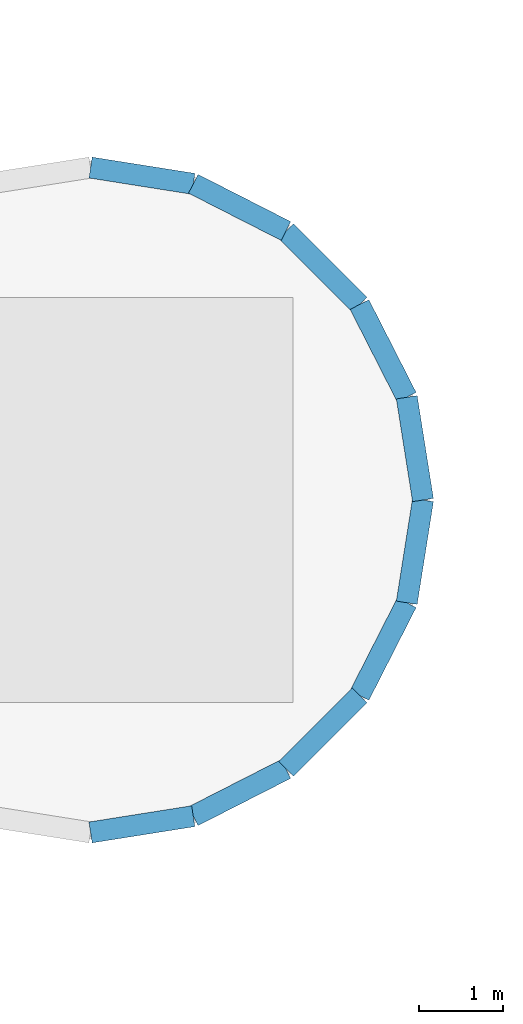
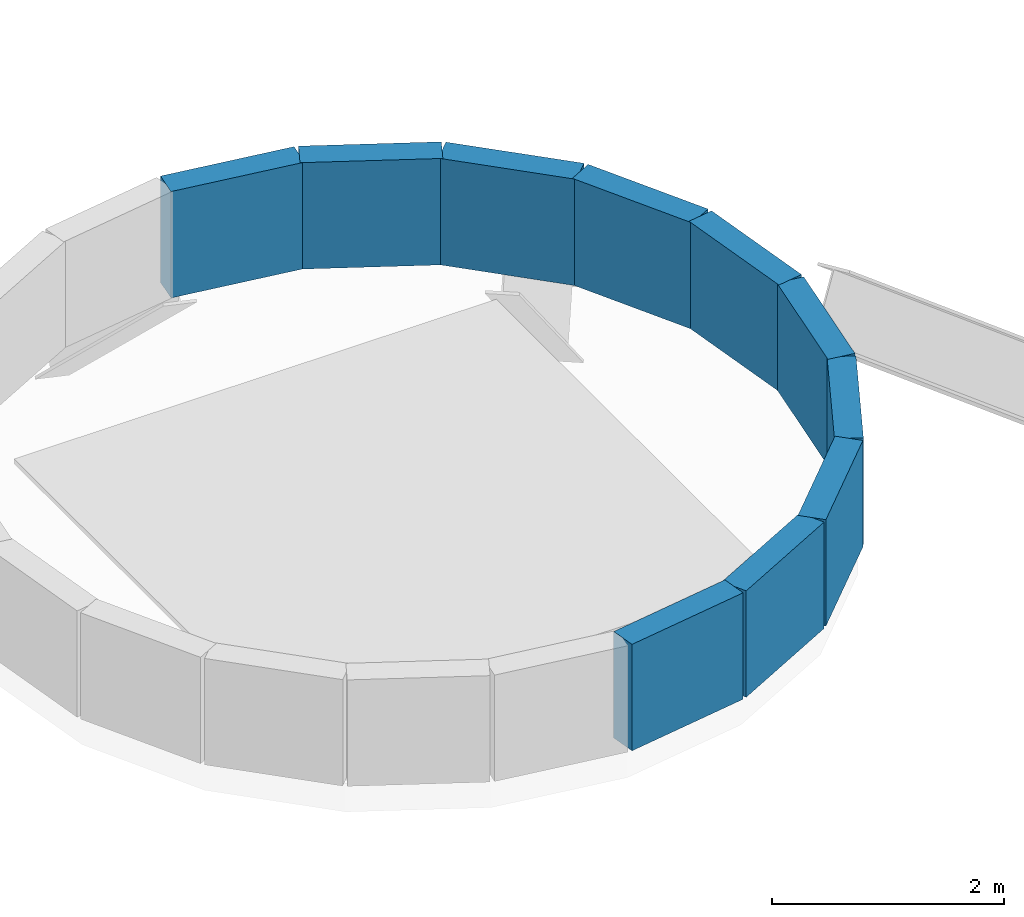
# One storey, part 19 of 34: 10 walls.
"""IFC4 building model written with IfcOpenShell, lengths in metres."""

from ifc_helpers import new_model, si_unit, direction, frame, frame_2d, origin, place, context, subcontext, project, spatial, rectangle, extrude, material, layer, layer_set, type_object, element, save


model = new_model("IFC4")

# Units and contexts
model_context = context("Model", 3, precision=1e-05, world=origin(), true_north=direction((0.0, 1.0)))
body_context = subcontext(model_context, "Body", "Model", "MODEL_VIEW")
ifc_project = project(units=[si_unit("LENGTHUNIT", "METRE"), si_unit("AREAUNIT", "SQUARE_METRE"), si_unit("VOLUMEUNIT", "CUBIC_METRE"), si_unit("PLANEANGLEUNIT", "RADIAN"), si_unit("MASSUNIT", "GRAM", prefix="KILO")], contexts=[model_context])

# Site, building, storey
site_placement = place(None, origin())
site = spatial("IfcSite", under=ifc_project, at=site_placement, CompositionType="ELEMENT")
building_placement = place(site_placement, origin())
building = spatial("IfcBuilding", under=site, at=building_placement, Name="Sefraquen Railside Congress Hotel", CompositionType="ELEMENT")
storey_placement = place(building_placement, frame((0.0, 0.0, 31.800048828125)))
storey = spatial("IfcBuildingStorey", under=building, at=storey_placement, Name="L07", CompositionType="ELEMENT", Elevation=31.800048828125)

# Walls
ifc_material = material(Name="Precast concrete C40/50", Category="concrete")
ifc_layer = layer(ifc_material, 0.25)
ifc_layer_set = layer_set([ifc_layer], Name="Precast concrete C40/50")
wall_type = type_object("IfcWallType", Name="TW-PA-250", PredefinedType="PARAPET", material=ifc_layer_set)
wall_1_placement = place(storey_placement, frame((68.139892578125, 27.0, 2.699951171875), z_axis=(0.0, 0.0, 1.0), x_axis=(-0.156267682255, 0.987714741959, 0.0)))
element("IfcWall", 1, at=wall_1_placement, inside=storey, type_object=wall_type, Name="Dome oculus maintenance parapet 01", PredefinedType="PARAPET", context=body_context, shape_type="SweptSolid", body=[
    extrude(rectangle(XDim=1.232666015625, YDim=0.25, at=frame_2d((0.6162109375, 0.0))), origin(), (0.0, 0.0, 1.0), 1.1201171875),
])
wall_2_placement = place(storey_placement, frame((67.947265625, 28.217529296875, 2.699951171875), z_axis=(0.0, 0.0, 1.0), x_axis=(-0.454091902652, 0.890954849555, 0.0)))
element("IfcWall", 2, at=wall_2_placement, inside=storey, type_object=wall_type, Name="Dome oculus maintenance parapet 02", PredefinedType="PARAPET", context=body_context, shape_type="SweptSolid", body=[
    extrude(rectangle(XDim=1.23291015625, YDim=0.25, at=frame_2d((0.616455078125, 0.0))), origin(), (0.0, 0.0, 1.0), 1.1201171875),
])
wall_3_placement = place(storey_placement, frame((67.387451171875, 29.31591796875, 2.699951171875), z_axis=(0.0, 0.0, 1.0), x_axis=(-0.707106781187, 0.707106781187, 0.0)))
element("IfcWall", 3, at=wall_3_placement, inside=storey, type_object=wall_type, Name="Dome oculus maintenance parapet 03", PredefinedType="PARAPET", context=body_context, shape_type="SweptSolid", body=[
    extrude(rectangle(XDim=1.232666015625, YDim=0.25, at=frame_2d((0.6162109375, 0.0))), origin(), (0.0, 0.0, 1.0), 1.1201171875),
])
wall_4_placement = place(storey_placement, frame((66.515869140625, 30.1875, 2.699951171875), z_axis=(0.0, 0.0, 1.0), x_axis=(-0.890954849555, 0.454091902652, 0.0)))
element("IfcWall", 4, at=wall_4_placement, inside=storey, type_object=wall_type, Name="Dome oculus maintenance parapet 04", PredefinedType="PARAPET", context=body_context, shape_type="SweptSolid", body=[
    extrude(rectangle(XDim=1.23291015625, YDim=0.25, at=frame_2d((0.616455078125, 0.0))), origin(), (0.0, 0.0, 1.0), 1.1201171875),
])
for number, where, z_axis, x_axis, name in (
    (5, (65.41748046875, 30.747314453125, 2.699951171875), (0.0, 0.0, 1.0), (-0.987714741959, 0.156267682255, 0.0), "Dome oculus maintenance parapet 05"),
    (6, (64.199951171875, 23.06005859375, 2.699951171875), (0.0, 0.0, 1.0), (0.987714741959, 0.156267682255, 0.0), "Dome oculus maintenance parapet 16"),
):
    element("IfcWall", number, at=place(storey_placement, frame(where, z_axis=z_axis, x_axis=x_axis)), inside=storey, type_object=wall_type, Name=name, PredefinedType="PARAPET", context=body_context, shape_type="SweptSolid", body=[
        extrude(rectangle(XDim=1.232666015625, YDim=0.25, at=frame_2d((0.6162109375, 0.0))), origin(), (0.0, 0.0, 1.0), 1.1201171875),
    ])
wall_5_placement = place(storey_placement, frame((65.41748046875, 23.252685546875, 2.699951171875), z_axis=(0.0, 0.0, 1.0), x_axis=(0.890954849555, 0.454091902652, 0.0)))
element("IfcWall", 7, at=wall_5_placement, inside=storey, type_object=wall_type, Name="Dome oculus maintenance parapet 17", PredefinedType="PARAPET", context=body_context, shape_type="SweptSolid", body=[
    extrude(rectangle(XDim=1.23291015625, YDim=0.25, at=frame_2d((0.616455078125, 0.0))), origin(), (0.0, 0.0, 1.0), 1.1201171875),
])
wall_6_placement = place(storey_placement, frame((66.515869140625, 23.8125, 2.699951171875), z_axis=(0.0, 0.0, 1.0), x_axis=(0.707106781187, 0.707106781187, 0.0)))
element("IfcWall", 8, at=wall_6_placement, inside=storey, type_object=wall_type, Name="Dome oculus maintenance parapet 18", PredefinedType="PARAPET", context=body_context, shape_type="SweptSolid", body=[
    extrude(rectangle(XDim=1.232666015625, YDim=0.25, at=frame_2d((0.6162109375, 0.0))), origin(), (0.0, 0.0, 1.0), 1.1201171875),
])
wall_7_placement = place(storey_placement, frame((67.387451171875, 24.68408203125, 2.699951171875), z_axis=(0.0, 0.0, 1.0), x_axis=(0.454091902652, 0.890954849555, 0.0)))
element("IfcWall", 9, at=wall_7_placement, inside=storey, type_object=wall_type, Name="Dome oculus maintenance parapet 19", PredefinedType="PARAPET", context=body_context, shape_type="SweptSolid", body=[
    extrude(rectangle(XDim=1.23291015625, YDim=0.25, at=frame_2d((0.616455078125, 0.0))), origin(), (0.0, 0.0, 1.0), 1.1201171875),
])
wall_8_placement = place(storey_placement, frame((67.947265625, 25.782470703125, 2.699951171875), z_axis=(0.0, 0.0, 1.0), x_axis=(0.156267682255, 0.987714741959, 0.0)))
element("IfcWall", 10, at=wall_8_placement, inside=storey, type_object=wall_type, Name="Dome oculus maintenance parapet 20", PredefinedType="PARAPET", context=body_context, shape_type="SweptSolid", body=[
    extrude(rectangle(XDim=1.232666015625, YDim=0.25, at=frame_2d((0.6162109375, 0.0))), origin(), (0.0, 0.0, 1.0), 1.1201171875),
])

save(model, "model.ifc")
